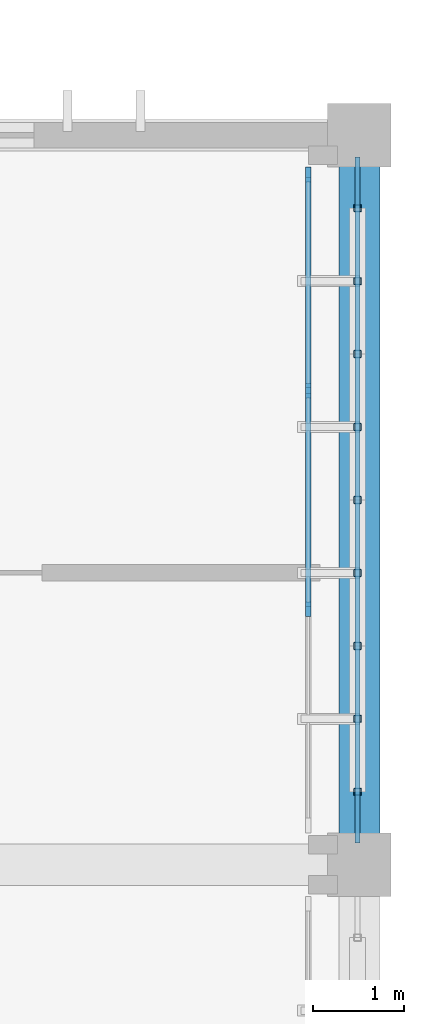
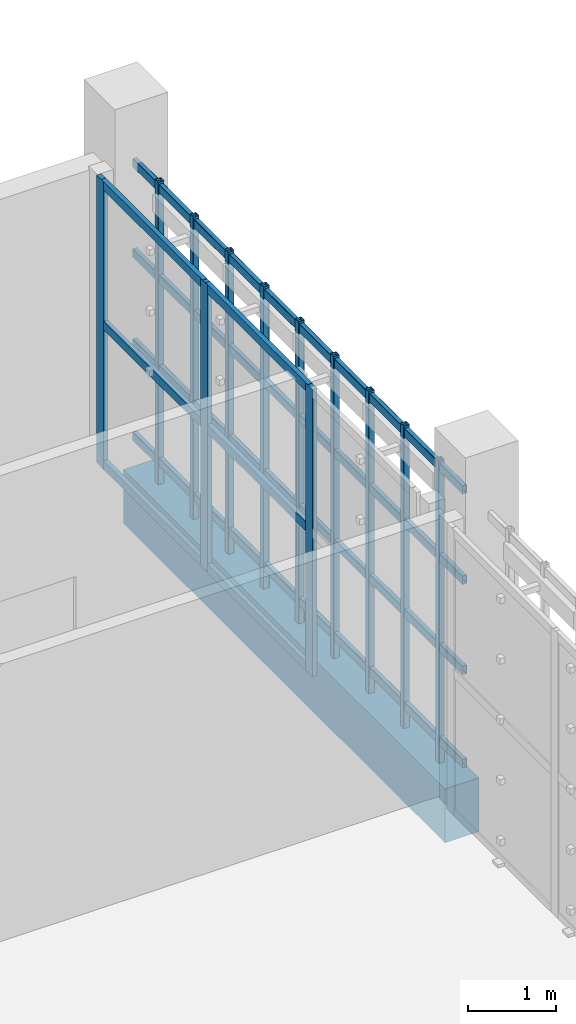
# One storey, part 59 of 106: 22 members, 1 beam, 1 element without a shape of its own.
"""IFC4 building model written with IfcOpenShell, lengths in metres."""

from ifc_helpers import new_model, si_unit, direction, frame, origin, origin_2d, place, context, subcontext, project, spatial, rectangle, hollow_rectangle, extrude, material, layer, layer_set, material_profile, profile_set, type_object, element, aggregate, save


model = new_model("IFC4")

# Units and contexts
model_context = context("Model", 3, precision=1e-05, world=origin(), true_north=direction((0.0, 1.0)))
body_context = subcontext(model_context, "Body", "Model", "MODEL_VIEW")
ifc_project = project(units=[si_unit("LENGTHUNIT", "METRE"), si_unit("AREAUNIT", "SQUARE_METRE"), si_unit("VOLUMEUNIT", "CUBIC_METRE"), si_unit("PLANEANGLEUNIT", "RADIAN"), si_unit("MASSUNIT", "GRAM", prefix="KILO")], contexts=[model_context])

# Site, building, storey
site_placement = place(None, origin())
site = spatial("IfcSite", under=ifc_project, at=site_placement, CompositionType="ELEMENT")
building_placement = place(site_placement, origin())
building = spatial("IfcBuilding", under=site, at=building_placement, Name="Jelvoka-Kovrelna Polytechnic", CompositionType="ELEMENT")
storey_placement = place(building_placement, frame((0.0, 0.0, 4.800048828125)))
storey = spatial("IfcBuildingStorey", under=building, at=storey_placement, Name="L02", CompositionType="ELEMENT", Elevation=4.800048828125)

# Beam
ifc_material_1 = material(Name="Concrete C40/50", Category="concrete")
ifc_material_profile_1 = material_profile(ifc_material_1, rectangle(XDim=0.449951171875, YDim=0.75, at=origin_2d()), Name="RC 450x750")
ifc_profile_set_1 = profile_set([ifc_material_profile_1], Name="Concrete C40/50")
beam_type = type_object("IfcBeamType", Name="Beam_RC_450x750", PredefinedType="BEAM", material=ifc_profile_set_1)
beam_placement = place(storey_placement, frame((200.0, 40.330078125, -0.64013671875), z_axis=(0.0, 1.0, 0.0), x_axis=(-1.0, 0.0, 0.0)))
element("IfcBeam", 1, at=beam_placement, inside=storey, type_object=beam_type, Name="L02 beam 0754", PredefinedType="BEAM", context=body_context, shape_type="SweptSolid", body=[
    extrude(rectangle(XDim=0.449951171875, YDim=0.75, at=origin_2d()), origin(), (0.0, 0.0, 1.0), 7.33984375),
])

# Members
ifc_material_2 = material(Name="Structural steel S355J2H", Category="steel")
ifc_material_profile_2 = material_profile(ifc_material_2, hollow_rectangle(XDim=0.06005859375, YDim=0.1201171875, WallThickness=0.0048828125, InnerFilletRadius=0.0048828125, OuterFilletRadius=0.007568359375, at=origin_2d()), Name="120x60x5.0 RHS")
ifc_profile_set_2 = profile_set([ifc_material_profile_2], Name="Structural steel S355J2H")
member_type_1 = type_object("IfcMemberType", Name="Member_Strut_RHS120", PredefinedType="STRUT", material=ifc_profile_set_2)
for number, where, z_axis, x_axis, name in (
    (2, (199.97998046875, 40.239990234375, 0.079833984375), (0.0, 1.0, 0.0), (-1.0, 0.0, 0.0), "L02 terracotta screen horizontal strut 0365"),
    (3, (199.97998046875, 40.239990234375, 1.375244140625), (0.0, 1.0, 0.0), (-1.0, 0.0, 0.0), "L02 terracotta screen horizontal strut 0366"),
    (4, (199.97998046875, 40.239990234375, 2.632568359375), (0.0, 1.0, 0.0), (-1.0, 0.0, 0.0), "L02 terracotta screen horizontal strut 0367"),
    (5, (199.97998046875, 40.239990234375, 3.889892578125), (0.0, 1.0, 0.0), (-1.0, 0.0, 0.0), "L02 terracotta screen horizontal strut 0368"),
):
    element("IfcMember", number, at=place(storey_placement, frame(where, z_axis=z_axis, x_axis=x_axis)), inside=storey, type_object=member_type_1, Name=name, PredefinedType="STRUT", context=body_context, shape_type="SweptSolid", body=[
        extrude(hollow_rectangle(XDim=0.06005859375, YDim=0.1201171875, WallThickness=0.0048828125, InnerFilletRadius=0.0048828125, OuterFilletRadius=0.007568359375, at=origin_2d()), origin(), (0.0, 0.0, 1.0), 7.52001953125),
    ])
ifc_material_3 = material(Name="Structural steel S355J2H", Category="steel")
ifc_material_profile_3 = material_profile(ifc_material_3, hollow_rectangle(XDim=0.080078125, YDim=0.080078125, WallThickness=0.0048828125, InnerFilletRadius=0.0048828125, OuterFilletRadius=0.007568359375, at=origin_2d()), Name="80x80x5.0 SHS")
ifc_profile_set_3 = profile_set([ifc_material_profile_3], Name="Structural steel S355J2H")
member_type_2 = type_object("IfcMemberType", Name="Member_Strut_SHS80", PredefinedType="STRUT", material=ifc_profile_set_3)
for number, where, z_axis, x_axis, name in (
    (6, (199.97998046875, 40.800048828125, -0.22998046875), (0.0, 0.0, 1.0), (1.0, 0.0, 0.0), "L02 terracotta lattice vertical rib 0369"),
    (7, (199.97998046875, 41.60009765625, -0.22998046875), (0.0, 0.0, 1.0), (1.0, 0.0, 0.0), "L02 terracotta lattice vertical rib 0370"),
    (8, (199.97998046875, 42.39990234375, -0.22998046875), (0.0, 0.0, 1.0), (1.0, 0.0, 0.0), "L02 terracotta lattice vertical rib 0371"),
    (9, (199.97998046875, 43.199951171875, -0.22998046875), (0.0, 0.0, 1.0), (1.0, 0.0, 0.0), "L02 terracotta lattice vertical rib 0372"),
    (10, (199.97998046875, 44.0, -0.22998046875), (0.0, 0.0, 1.0), (1.0, 0.0, 0.0), "L02 terracotta lattice vertical rib 0373"),
    (11, (199.97998046875, 44.800048828125, -0.22998046875), (0.0, 0.0, 1.0), (1.0, 0.0, 0.0), "L02 terracotta lattice vertical rib 0374"),
    (12, (199.97998046875, 45.60009765625, -0.22998046875), (0.0, 0.0, 1.0), (1.0, 0.0, 0.0), "L02 terracotta lattice vertical rib 0375"),
    (13, (199.97998046875, 46.39990234375, -0.22998046875), (0.0, 0.0, 1.0), (1.0, 0.0, 0.0), "L02 terracotta lattice vertical rib 0376"),
    (14, (199.97998046875, 47.199951171875, -0.22998046875), (0.0, 0.0, 1.0), (1.0, 0.0, 0.0), "L02 terracotta lattice vertical rib 0377"),
):
    element("IfcMember", number, at=place(storey_placement, frame(where, z_axis=z_axis, x_axis=x_axis)), inside=storey, type_object=member_type_2, Name=name, PredefinedType="STRUT", context=body_context, shape_type="SweptSolid", body=[
        extrude(hollow_rectangle(XDim=0.080078125, YDim=0.080078125, WallThickness=0.0048828125, InnerFilletRadius=0.0048828125, OuterFilletRadius=0.007568359375, at=origin_2d()), origin(), (0.0, 0.0, 1.0), 4.2099609375),
    ])

# Curtain wall, members
ifc_material_4 = material(Name="Anodised aluminium 6063-T6", Category="aluminium")
ifc_layer = layer(ifc_material_4, 0.159912109375)
ifc_layer_set = layer_set([ifc_layer], Name="Anodised aluminium 6063-T6")
curtain_wall_type = type_object("IfcCurtainWallType", Name="CW_Recessed_A", PredefinedType="NOTDEFINED", material=ifc_layer_set)
curtain_wall_placement = place(storey_placement, origin())
curtain_wall = element("IfcCurtainWall", 15, at=curtain_wall_placement, inside=storey, type_object=curtain_wall_type, Name="L02 glazed curtain wall 053", PredefinedType="NOTDEFINED")
ifc_material_5 = material(Name="Anodised aluminium 6063-T6", Category="aluminium")
ifc_material_profile_4 = material_profile(ifc_material_5, rectangle(XDim=0.06005859375, YDim=0.159912109375, at=origin_2d()), Name="ALU 60x160")
ifc_profile_set_4 = profile_set([ifc_material_profile_4], Name="Anodised aluminium 6063-T6")
member_type_3 = type_object("IfcMemberType", Name="Mullion_M-01", PredefinedType="MULLION", material=ifc_profile_set_4)
member_1_placement = place(storey_placement, frame((199.43994140625, 47.570068359375, -0.02490234375), z_axis=(0.0, 0.0, 1.0), x_axis=(1.0, 0.0, 0.0)))
member_1 = element("IfcMember", 16, at=member_1_placement, type_object=member_type_3, Name="CW-01 mullion 1", PredefinedType="MULLION", context=body_context, shape_type="SweptSolid", body=[
    extrude(rectangle(XDim=0.06005859375, YDim=0.159912109375, at=origin_2d()), origin(), (0.0, 0.0, 1.0), 4.0),
])
member_2_placement = place(storey_placement, frame((199.43994140625, 45.199951171875, -0.02490234375), z_axis=(0.0, 0.0, 1.0), x_axis=(1.0, 0.0, 0.0)))
member_2 = element("IfcMember", 17, at=member_2_placement, type_object=member_type_3, Name="CW-01 mullion 2", PredefinedType="MULLION", context=body_context, shape_type="SweptSolid", body=[
    extrude(rectangle(XDim=0.06005859375, YDim=0.159912109375, at=origin_2d()), origin(), (0.0, 0.0, 1.0), 4.0),
])
member_3_placement = place(storey_placement, frame((199.43994140625, 42.800048828125, -0.02490234375), z_axis=(0.0, 0.0, 1.0), x_axis=(1.0, 0.0, 0.0)))
member_3 = element("IfcMember", 18, at=member_3_placement, type_object=member_type_3, Name="CW-01 mullion 3", PredefinedType="MULLION", context=body_context, shape_type="SweptSolid", body=[
    extrude(rectangle(XDim=0.06005859375, YDim=0.159912109375, at=origin_2d()), origin(), (0.0, 0.0, 1.0), 4.0),
])
ifc_material_6 = material(Name="Anodised aluminium 6063-T6", Category="aluminium")
ifc_material_profile_5 = material_profile(ifc_material_6, rectangle(XDim=0.06005859375, YDim=0.1201171875, at=origin_2d()), Name="ALU 60x120")
ifc_profile_set_5 = profile_set([ifc_material_profile_5], Name="Anodised aluminium 6063-T6")
member_type_4 = type_object("IfcMemberType", Name="Transom_T-01", PredefinedType="USERDEFINED", material=ifc_profile_set_5)
member_4_placement = place(storey_placement, frame((199.43994140625, 47.5400390625, 0.030029296875), z_axis=(0.0, -1.0, 0.0), x_axis=(1.0, 0.0, 0.0)))
member_4 = element("IfcMember", 19, at=member_4_placement, type_object=member_type_4, Name="CW-01 transom 1.1", ObjectType="TRANSOM", PredefinedType="USERDEFINED", context=body_context, shape_type="SweptSolid", body=[
    extrude(rectangle(XDim=0.06005859375, YDim=0.1201171875, at=origin_2d()), origin(), (0.0, 0.0, 1.0), 2.31005859375),
])
member_5_placement = place(storey_placement, frame((199.43994140625, 47.5400390625, 1.974853515625), z_axis=(0.0, -1.0, 0.0), x_axis=(1.0, 0.0, 0.0)))
member_5 = element("IfcMember", 20, at=member_5_placement, type_object=member_type_4, Name="CW-01 transom 1.2", ObjectType="TRANSOM", PredefinedType="USERDEFINED", context=body_context, shape_type="SweptSolid", body=[
    extrude(rectangle(XDim=0.06005859375, YDim=0.1201171875, at=origin_2d()), origin(), (0.0, 0.0, 1.0), 2.31005859375),
])
member_6_placement = place(storey_placement, frame((199.43994140625, 47.5400390625, 3.919921875), z_axis=(0.0, -1.0, 0.0), x_axis=(1.0, 0.0, 0.0)))
member_6 = element("IfcMember", 21, at=member_6_placement, type_object=member_type_4, Name="CW-01 transom 1.3", ObjectType="TRANSOM", PredefinedType="USERDEFINED", context=body_context, shape_type="SweptSolid", body=[
    extrude(rectangle(XDim=0.06005859375, YDim=0.1201171875, at=origin_2d()), origin(), (0.0, 0.0, 1.0), 2.31005859375),
])
member_7_placement = place(storey_placement, frame((199.43994140625, 45.169921875, 0.030029296875), z_axis=(0.0, -1.0, 0.0), x_axis=(1.0, 0.0, 0.0)))
member_7 = element("IfcMember", 22, at=member_7_placement, type_object=member_type_4, Name="CW-01 transom 2.1", ObjectType="TRANSOM", PredefinedType="USERDEFINED", context=body_context, shape_type="SweptSolid", body=[
    extrude(rectangle(XDim=0.06005859375, YDim=0.1201171875, at=origin_2d()), origin(), (0.0, 0.0, 1.0), 2.33984375),
])
member_8_placement = place(storey_placement, frame((199.43994140625, 45.169921875, 1.974853515625), z_axis=(0.0, -1.0, 0.0), x_axis=(1.0, 0.0, 0.0)))
member_8 = element("IfcMember", 23, at=member_8_placement, type_object=member_type_4, Name="CW-01 transom 2.2", ObjectType="TRANSOM", PredefinedType="USERDEFINED", context=body_context, shape_type="SweptSolid", body=[
    extrude(rectangle(XDim=0.06005859375, YDim=0.1201171875, at=origin_2d()), origin(), (0.0, 0.0, 1.0), 2.33984375),
])
member_9_placement = place(storey_placement, frame((199.43994140625, 45.169921875, 3.919921875), z_axis=(0.0, -1.0, 0.0), x_axis=(1.0, 0.0, 0.0)))
member_9 = element("IfcMember", 24, at=member_9_placement, type_object=member_type_4, Name="CW-01 transom 2.3", ObjectType="TRANSOM", PredefinedType="USERDEFINED", context=body_context, shape_type="SweptSolid", body=[
    extrude(rectangle(XDim=0.06005859375, YDim=0.1201171875, at=origin_2d()), origin(), (0.0, 0.0, 1.0), 2.33984375),
])
aggregate(curtain_wall, [member_1, member_2, member_3, member_4, member_5, member_6, member_7, member_8, member_9])

save(model, "model.ifc")
